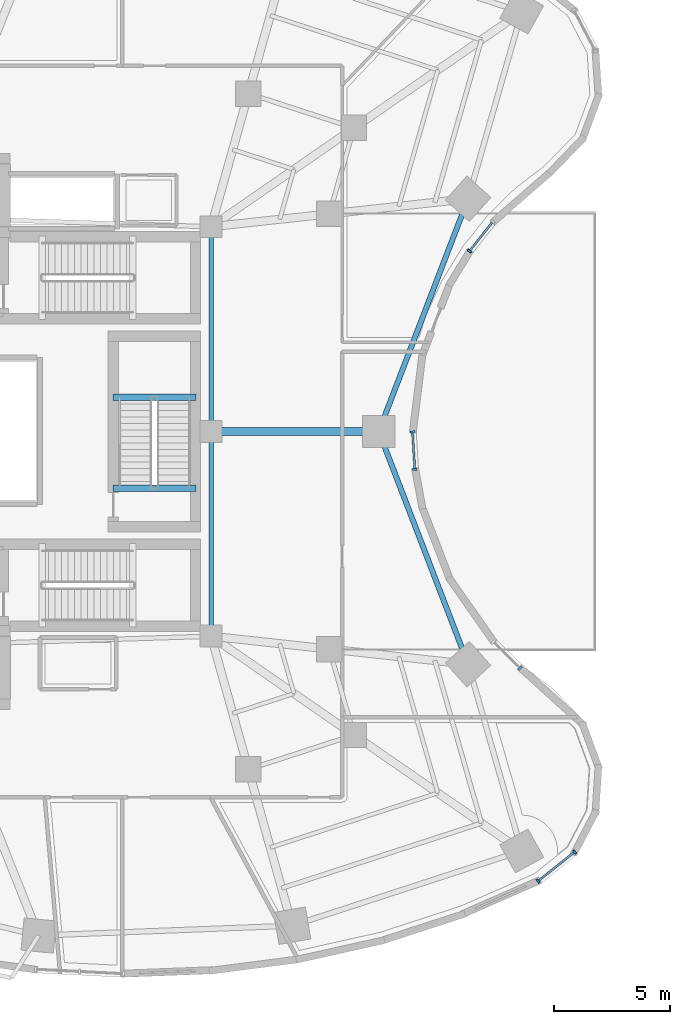
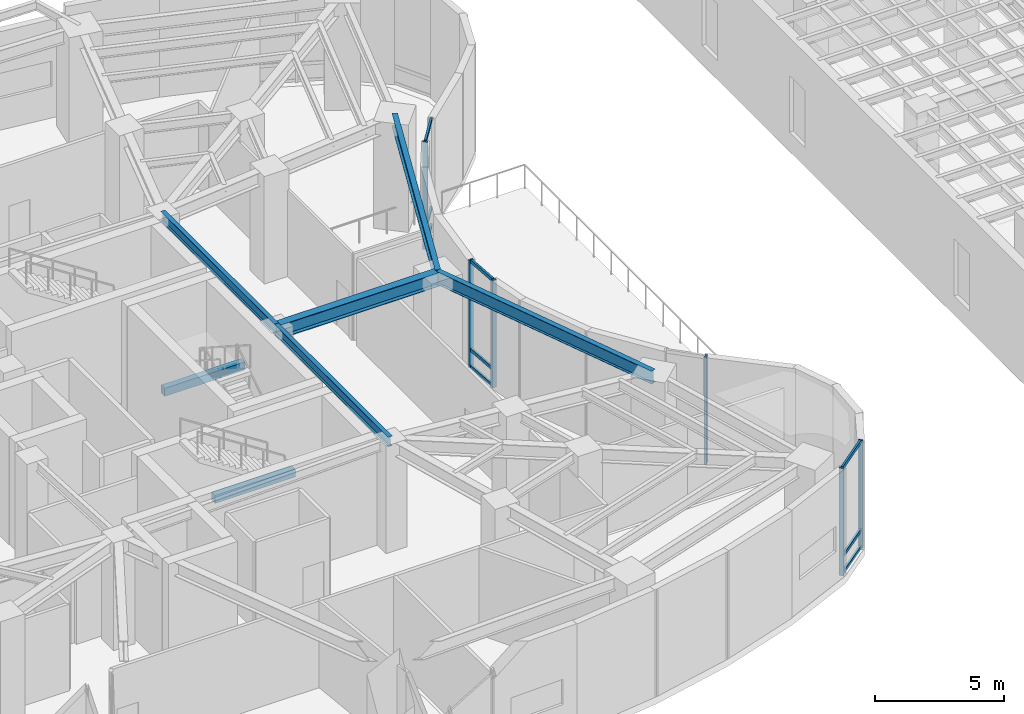
# One storey, part 5 of 19: 15 members, 7 beams, 4 elements without a shape of their own.
"""IFC4 building model written with IfcOpenShell, lengths in metres."""

from ifc_helpers import new_model, si_unit, direction, frame, origin, origin_2d, place, context, subcontext, project, spatial, rectangle, i_section, extrude, material, layer, layer_set, material_profile, profile_set, type_object, element, aggregate, save


model = new_model("IFC4")

# Units and contexts
model_context = context("Model", 3, precision=1e-05, world=origin(), true_north=direction((0.0, 1.0)))
body_context = subcontext(model_context, "Body", "Model", "MODEL_VIEW")
ifc_project = project(units=[si_unit("LENGTHUNIT", "METRE"), si_unit("AREAUNIT", "SQUARE_METRE"), si_unit("VOLUMEUNIT", "CUBIC_METRE"), si_unit("PLANEANGLEUNIT", "RADIAN"), si_unit("MASSUNIT", "GRAM", prefix="KILO")], contexts=[model_context])

# Site, building, storey
site_placement = place(None, origin())
site = spatial("IfcSite", under=ifc_project, at=site_placement, CompositionType="ELEMENT")
building_placement = place(site_placement, origin())
building = spatial("IfcBuilding", under=site, at=building_placement, Name="Korentha Bioscience Tower", CompositionType="ELEMENT")
storey_placement = place(building_placement, frame((0.0, 0.0, 20.39990234375)))
storey = spatial("IfcBuildingStorey", under=building, at=storey_placement, Name="L04", CompositionType="ELEMENT", Elevation=20.39990234375)

# Beams
ifc_material_1 = material(Name="Concrete C50", Category="concrete")
ifc_material_profile_1 = material_profile(ifc_material_1, rectangle(XDim=0.280029296875, YDim=0.3798828125, at=origin_2d()), Name="Concrete C50")
ifc_profile_set_1 = profile_set([ifc_material_profile_1], Name="Concrete C50 (ST-HB380)")
beam_type_1 = type_object("IfcBeamType", Name="Concrete Stair Header Beam RC 280x380", PredefinedType="BEAM", material=ifc_profile_set_1)
for number, where, z_axis, x_axis, name in (
    (1, (36.89990234375, 24.550048828125, -0.18994140625), (-1.0, 0.0, 0.0), (0.0, -1.0, 0.0), "L04 ST-3 Concrete Stair Header Beam"),
    (2, (36.89990234375, 28.469970703125, 2.510009765625), (-1.0, 0.0, 0.0), (0.0, -1.0, 0.0), "L04 ST-3 Half-Landing Header Beam 1"),
):
    element("IfcBeam", number, at=place(storey_placement, frame(where, z_axis=z_axis, x_axis=x_axis)), inside=storey, type_object=beam_type_1, Name=name, PredefinedType="BEAM", context=body_context, shape_type="SweptSolid", body=[
        extrude(rectangle(XDim=0.280029296875, YDim=0.3798828125, at=origin_2d()), origin(), (0.0, 0.0, 1.0), 3.599853515625),
    ])
ifc_material_2 = material(Name="Steel S355", Category="steel")
ifc_material_profile_2 = material_profile(ifc_material_2, i_section(OverallWidth=0.18994140625, OverallDepth=0.45703125, WebThickness=0.009033203125, FlangeThickness=0.014404296875, at=origin_2d()), Name="Steel S355")
ifc_profile_set_2 = profile_set([ifc_material_profile_2], Name="Steel S355 (MB-460)")
beam_type_2 = type_object("IfcBeamType", Name="Mid-Ring Tie Girder W460x74", PredefinedType="BEAM", material=ifc_profile_set_2)
for number, where, z_axis, x_axis, name in (
    (3, (37.550048828125, 18.14990234375, 4.87158203125), (0.0, 1.0, 0.0), (-1.0, 0.0, 0.0), "L04 Core Ring Tie Girder 06"),
    (4, (37.550048828125, 27.0, 4.87158203125), (0.0, 1.0, 0.0), (-1.0, 0.0, 0.0), "L04 Core Ring Tie Girder 07"),
):
    element("IfcBeam", number, at=place(storey_placement, frame(where, z_axis=z_axis, x_axis=x_axis)), inside=storey, type_object=beam_type_2, Name=name, PredefinedType="BEAM", context=body_context, shape_type="SweptSolid", body=[
        extrude(i_section(OverallWidth=0.18994140625, OverallDepth=0.45703125, WebThickness=0.009033203125, FlangeThickness=0.014404296875, at=origin_2d()), origin(), (0.0, 0.0, 1.0), 8.85009765625),
    ])

# Curtain wall, members
ifc_material_3 = material(Name="Stone-Clad Aluminium Frame", Category="masonry")
ifc_layer = layer(ifc_material_3, 0.219970703125, Name="Stone-Clad Aluminium Frame")
ifc_layer_set = layer_set([ifc_layer], Name="Stone-Clad Aluminium Frame (CW-P1)")
curtain_wall_type = type_object("IfcCurtainWallType", Name="Podium Double-Height Stone-Mullion Curtain Wall CW-P1", PredefinedType="USERDEFINED", material=ifc_layer_set)
curtain_wall_1_placement = place(storey_placement, origin())
curtain_wall_1 = element("IfcCurtainWall", 5, at=curtain_wall_1_placement, inside=storey, type_object=curtain_wall_type, Name="L04 Curtain Wall 37", ObjectType="UNITISED", PredefinedType="USERDEFINED")
ifc_material_4 = material(Name="Anodised Aluminium 6063-T6", Category="aluminium")
ifc_material_profile_3 = material_profile(ifc_material_4, rectangle(XDim=0.090087890625, YDim=0.199951171875, at=origin_2d()), Name="Anodised Aluminium 6063-T6")
ifc_profile_set_3 = profile_set([ifc_material_profile_3], Name="Anodised Aluminium 6063-T6 (CW-MUL)")
member_type_1 = type_object("IfcMemberType", Name="Mullion RECT 90x200", PredefinedType="MULLION", material=ifc_profile_set_3)
member_1_placement = place(storey_placement, frame((51.6865234375, 7.56298828125, 0.0), z_axis=(0.0, 0.0, 1.0), x_axis=(0.782287851332, 0.62291710336, 0.0)))
member_1 = element("IfcMember", 6, at=member_1_placement, type_object=member_type_1, Name="CW-L04-37 Mullion 1", PredefinedType="MULLION", context=body_context, shape_type="SweptSolid", body=[
    extrude(rectangle(XDim=0.090087890625, YDim=0.199951171875, at=origin_2d()), origin(), (0.0, 0.0, 1.0), 5.10009765625),
])
member_2_placement = place(storey_placement, frame((53.264892578125, 8.81982421875, 0.0), z_axis=(0.0, 0.0, 1.0), x_axis=(0.782287851332, 0.62291710336, 0.0)))
member_2 = element("IfcMember", 7, at=member_2_placement, type_object=member_type_1, Name="CW-L04-37 Mullion 2", PredefinedType="MULLION", context=body_context, shape_type="SweptSolid", body=[
    extrude(rectangle(XDim=0.090087890625, YDim=0.199951171875, at=origin_2d()), origin(), (0.0, 0.0, 1.0), 5.10009765625),
])

# Curtain wall, member
curtain_wall_2_placement = place(storey_placement, origin())
curtain_wall_2 = element("IfcCurtainWall", 8, at=curtain_wall_2_placement, inside=storey, type_object=curtain_wall_type, Name="L04 Curtain Wall 43", ObjectType="UNITISED", PredefinedType="USERDEFINED")
member_3_placement = place(storey_placement, frame((50.913818359375, 16.76513671875, 0.0), z_axis=(0.0, 0.0, 1.0), x_axis=(-0.713279246754, 0.700879958445, 0.0)))
member_3 = element("IfcMember", 9, at=member_3_placement, type_object=member_type_1, Name="CW-L04-43 Mullion 1", PredefinedType="MULLION", context=body_context, shape_type="SweptSolid", body=[
    extrude(rectangle(XDim=0.090087890625, YDim=0.199951171875, at=origin_2d()), origin(), (0.0, 0.0, 1.0), 5.10009765625),
])
aggregate(curtain_wall_2, [member_3])

# Curtain wall, members
curtain_wall_3_placement = place(storey_placement, origin())
curtain_wall_3 = element("IfcCurtainWall", 10, at=curtain_wall_3_placement, inside=storey, type_object=curtain_wall_type, Name="L04 Curtain Wall 49", ObjectType="UNITISED", PredefinedType="USERDEFINED")
member_4_placement = place(storey_placement, frame((46.355712890625, 25.3603515625, 0.0), z_axis=(0.0, 0.0, 1.0), x_axis=(-0.061008272998, 0.998137260413, 0.0)))
member_4 = element("IfcMember", 11, at=member_4_placement, type_object=member_type_1, Name="CW-L04-49 Mullion 1", PredefinedType="MULLION", context=body_context, shape_type="SweptSolid", body=[
    extrude(rectangle(XDim=0.090087890625, YDim=0.199951171875, at=origin_2d()), origin(), (0.0, 0.0, 1.0), 5.10009765625),
])
member_5_placement = place(storey_placement, frame((46.25634765625, 26.985107421875, 0.0), z_axis=(0.0, 0.0, 1.0), x_axis=(-0.061008272998, 0.998137260413, 0.0)))
member_5 = element("IfcMember", 12, at=member_5_placement, type_object=member_type_1, Name="CW-L04-49 Mullion 2", PredefinedType="MULLION", context=body_context, shape_type="SweptSolid", body=[
    extrude(rectangle(XDim=0.090087890625, YDim=0.199951171875, at=origin_2d()), origin(), (0.0, 0.0, 1.0), 5.10009765625),
])

# Curtain wall, member
curtain_wall_4_placement = place(storey_placement, origin())
curtain_wall_4 = element("IfcCurtainWall", 13, at=curtain_wall_4_placement, inside=storey, type_object=curtain_wall_type, Name="L04 Curtain Wall 55", ObjectType="UNITISED", PredefinedType="USERDEFINED")
member_6_placement = place(storey_placement, frame((48.719482421875, 34.7978515625, 0.0), z_axis=(0.0, 0.0, 1.0), x_axis=(0.622520324648, 0.782603632371, 0.0)))
member_6 = element("IfcMember", 14, at=member_6_placement, type_object=member_type_1, Name="CW-L04-55 Mullion 1", PredefinedType="MULLION", context=body_context, shape_type="SweptSolid", body=[
    extrude(rectangle(XDim=0.090087890625, YDim=0.199951171875, at=origin_2d()), origin(), (0.0, 0.0, 1.0), 5.10009765625),
])

# Beams
ifc_material_profile_4 = material_profile(ifc_material_2, i_section(OverallWidth=0.22802734375, OverallDepth=0.60791015625, WebThickness=0.01123046875, FlangeThickness=0.017333984375, at=origin_2d()), Name="Steel S355")
ifc_profile_set_4 = profile_set([ifc_material_profile_4], Name="Steel S355 (SB-610)")
beam_type_3 = type_object("IfcBeamType", Name="Perimeter Ring Spandrel Girder W610x113", PredefinedType="SPANDREL", material=ifc_profile_set_4)
for number, where, z_axis, x_axis, name in (
    (15, (48.661865234375, 16.939208984375, 4.796142578125), (-0.358473520253, 0.93353989485, 0.0), (-0.93353989485, -0.358473520253, 0.0), "L04 Perimeter Spandrel Girder 14"),
    (16, (44.798583984375, 27.0, 4.796142578125), (0.358473520253, 0.93353989485, 0.0), (-0.93353989485, 0.358473520253, 0.0), "L04 Perimeter Spandrel Girder 15"),
):
    element("IfcBeam", number, at=place(storey_placement, frame(where, z_axis=z_axis, x_axis=x_axis)), inside=storey, type_object=beam_type_3, Name=name, PredefinedType="SPANDREL", context=body_context, shape_type="SweptSolid", body=[
        extrude(i_section(OverallWidth=0.22802734375, OverallDepth=0.60791015625, WebThickness=0.01123046875, FlangeThickness=0.017333984375, at=origin_2d()), origin(), (0.0, 0.0, 1.0), 10.777099609375),
    ])
ifc_material_profile_5 = material_profile(ifc_material_2, i_section(OverallWidth=0.35009765625, OverallDepth=0.64990234375, WebThickness=0.01611328125, FlangeThickness=0.02490234375, at=origin_2d()), Name="Steel S355")
ifc_profile_set_5 = profile_set([ifc_material_profile_5], Name="Steel S355 (RB-650)")
beam_type_4 = type_object("IfcBeamType", Name="Radial Laboratory Girder CVS 650x208", PredefinedType="BEAM", material=ifc_profile_set_5)
beam_placement = place(storey_placement, frame((37.550048828125, 27.0, 4.775146484375), z_axis=(1.0, 0.0, 0.0), x_axis=(0.0, 1.0, 0.0)))
element("IfcBeam", 17, at=beam_placement, inside=storey, type_object=beam_type_4, Name="L04 Radial Girder 15", PredefinedType="BEAM", context=body_context, shape_type="SweptSolid", body=[
    extrude(i_section(OverallWidth=0.35009765625, OverallDepth=0.64990234375, WebThickness=0.01611328125, FlangeThickness=0.02490234375, at=origin_2d()), origin(), (0.0, 0.0, 1.0), 7.24853515625),
])

# Member
ifc_material_profile_6 = material_profile(ifc_material_4, rectangle(XDim=0.090087890625, YDim=0.159912109375, at=origin_2d()), Name="Anodised Aluminium 6063-T6")
ifc_profile_set_6 = profile_set([ifc_material_profile_6], Name="Anodised Aluminium 6063-T6 (CW-TRN)")
member_type_2 = type_object("IfcMemberType", Name="Transom RECT 90x160", PredefinedType="USERDEFINED", material=ifc_profile_set_6)
member_7_placement = place(storey_placement, frame((51.7216796875, 7.591064453125, 0.045166015625), z_axis=(0.78232471634, 0.622870803782, 0.0), x_axis=(-0.622870803782, 0.78232471634, 0.0)))
member_7 = element("IfcMember", 18, at=member_7_placement, type_object=member_type_2, Name="CW-L04-37 Bay 1 Transom 1", ObjectType="TRANSOM", PredefinedType="USERDEFINED", context=body_context, shape_type="SweptSolid", body=[
    extrude(rectangle(XDim=0.090087890625, YDim=0.159912109375, at=origin_2d()), origin(), (0.0, 0.0, 1.0), 1.927734375),
])

member_8_placement = place(storey_placement, frame((51.7216796875, 7.591064453125, 0.85009765625), z_axis=(0.78232471634, 0.622870803782, 0.0), x_axis=(-0.622870803782, 0.78232471634, 0.0)))
member_8 = element("IfcMember", 19, at=member_8_placement, type_object=member_type_2, Name="CW-L04-37 Bay 1 Transom 2", ObjectType="TRANSOM", PredefinedType="USERDEFINED", context=body_context, shape_type="SweptSolid", body=[
    extrude(rectangle(XDim=0.090087890625, YDim=0.159912109375, at=origin_2d()), origin(), (0.0, 0.0, 1.0), 1.927734375),
])

member_9_placement = place(storey_placement, frame((51.7216796875, 7.591064453125, 5.05517578125), z_axis=(0.78232471634, 0.622870803782, 0.0), x_axis=(-0.622870803782, 0.78232471634, 0.0)))
member_9 = element("IfcMember", 20, at=member_9_placement, type_object=member_type_2, Name="CW-L04-37 Bay 1 Transom 3", ObjectType="TRANSOM", PredefinedType="USERDEFINED", context=body_context, shape_type="SweptSolid", body=[
    extrude(rectangle(XDim=0.090087890625, YDim=0.159912109375, at=origin_2d()), origin(), (0.0, 0.0, 1.0), 1.927734375),
])

aggregate(curtain_wall_1, [member_1, member_2, member_7, member_8, member_9])

member_10_placement = place(storey_placement, frame((46.352783203125, 25.4052734375, 0.045166015625), z_axis=(-0.060964804815, 0.998139916331, 0.0), x_axis=(-0.998139916331, -0.060964804815, 0.0)))
member_10 = element("IfcMember", 21, at=member_10_placement, type_object=member_type_2, Name="CW-L04-49 Bay 1 Transom 1", ObjectType="TRANSOM", PredefinedType="USERDEFINED", context=body_context, shape_type="SweptSolid", body=[
    extrude(rectangle(XDim=0.090087890625, YDim=0.159912109375, at=origin_2d()), origin(), (0.0, 0.0, 1.0), 1.537841796875),
])

member_11_placement = place(storey_placement, frame((46.352783203125, 25.4052734375, 0.85009765625), z_axis=(-0.060964804815, 0.998139916331, 0.0), x_axis=(-0.998139916331, -0.060964804815, 0.0)))
member_11 = element("IfcMember", 22, at=member_11_placement, type_object=member_type_2, Name="CW-L04-49 Bay 1 Transom 2", ObjectType="TRANSOM", PredefinedType="USERDEFINED", context=body_context, shape_type="SweptSolid", body=[
    extrude(rectangle(XDim=0.090087890625, YDim=0.159912109375, at=origin_2d()), origin(), (0.0, 0.0, 1.0), 1.537841796875),
])

member_12_placement = place(storey_placement, frame((46.352783203125, 25.4052734375, 5.05517578125), z_axis=(-0.060964804815, 0.998139916331, 0.0), x_axis=(-0.998139916331, -0.060964804815, 0.0)))
member_12 = element("IfcMember", 23, at=member_12_placement, type_object=member_type_2, Name="CW-L04-49 Bay 1 Transom 3", ObjectType="TRANSOM", PredefinedType="USERDEFINED", context=body_context, shape_type="SweptSolid", body=[
    extrude(rectangle(XDim=0.090087890625, YDim=0.159912109375, at=origin_2d()), origin(), (0.0, 0.0, 1.0), 1.537841796875),
])

aggregate(curtain_wall_3, [member_4, member_5, member_10, member_11, member_12])

member_13_placement = place(storey_placement, frame((48.74755859375, 34.8330078125, 0.045166015625), z_axis=(0.622563336945, 0.782569416405, 0.0), x_axis=(-0.782569416405, 0.622563336945, 0.0)))
member_13 = element("IfcMember", 24, at=member_13_placement, type_object=member_type_2, Name="CW-L04-55 Bay 1 Transom 1", ObjectType="TRANSOM", PredefinedType="USERDEFINED", context=body_context, shape_type="SweptSolid", body=[
    extrude(rectangle(XDim=0.090087890625, YDim=0.159912109375, at=origin_2d()), origin(), (0.0, 0.0, 1.0), 1.5380859375),
])

member_14_placement = place(storey_placement, frame((48.74755859375, 34.8330078125, 0.85009765625), z_axis=(0.622563336945, 0.782569416405, 0.0), x_axis=(-0.782569416405, 0.622563336945, 0.0)))
member_14 = element("IfcMember", 25, at=member_14_placement, type_object=member_type_2, Name="CW-L04-55 Bay 1 Transom 2", ObjectType="TRANSOM", PredefinedType="USERDEFINED", context=body_context, shape_type="SweptSolid", body=[
    extrude(rectangle(XDim=0.090087890625, YDim=0.159912109375, at=origin_2d()), origin(), (0.0, 0.0, 1.0), 1.5380859375),
])

member_15_placement = place(storey_placement, frame((48.74755859375, 34.8330078125, 5.05517578125), z_axis=(0.622563336945, 0.782569416405, 0.0), x_axis=(-0.782569416405, 0.622563336945, 0.0)))
member_15 = element("IfcMember", 26, at=member_15_placement, type_object=member_type_2, Name="CW-L04-55 Bay 1 Transom 3", ObjectType="TRANSOM", PredefinedType="USERDEFINED", context=body_context, shape_type="SweptSolid", body=[
    extrude(rectangle(XDim=0.090087890625, YDim=0.159912109375, at=origin_2d()), origin(), (0.0, 0.0, 1.0), 1.5380859375),
])

aggregate(curtain_wall_4, [member_6, member_13, member_14, member_15])

save(model, "model.ifc")
